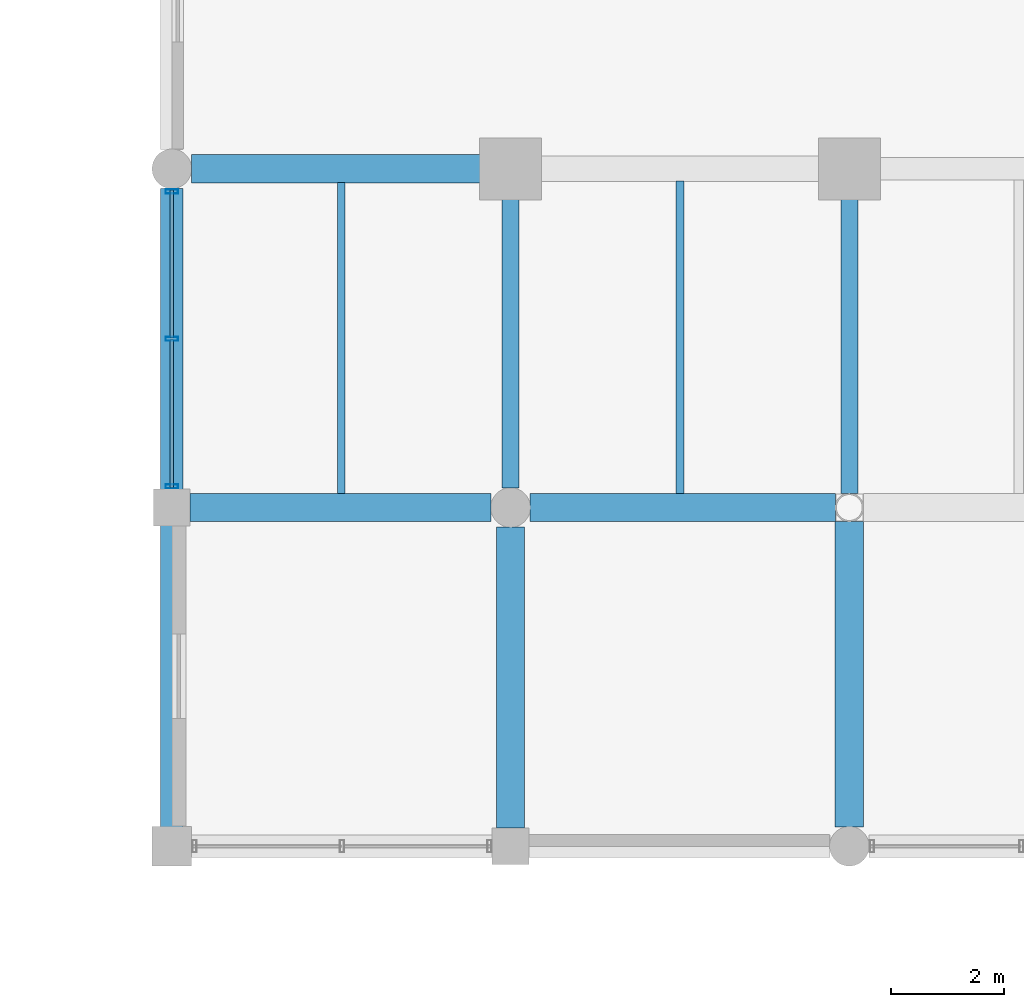
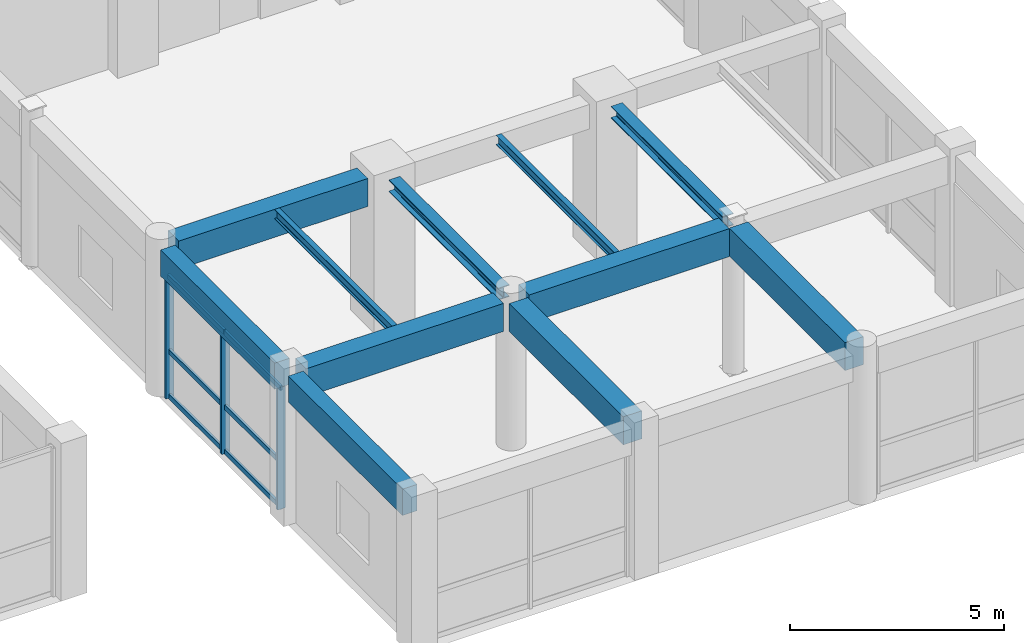
# One storey, part 54 of 116: 11 beams, 9 members, 1 element without a shape of its own.
"""IFC4 building model written with IfcOpenShell, lengths in metres."""

import ifcopenshell
import ifcopenshell.guid

model = None  # the IFC model being written
_history = None  # IfcOwnerHistory: only IFC2X3 demands one
_inside = {}  # id of a spatial element -> (the spatial element, [elements in it])
_under = {}  # id of a project, library or spatial element -> (it, [spatial elements below it])
_declared = {}  # id of a project -> (the project, [libraries it declares])
_typed = {}  # id of a type object -> (the type object, [elements of that type])
_made_of = {}  # id of a material, layer set ... -> (it, [elements and type objects made of it])


def new_model(schema):
    """Start an empty IFC model of exactly this schema.

    Asked for "IFC4X3", IfcOpenShell would pick the latest addendum, in which some entities
    have other attributes; the version numbers below select the first issue.
    IFC2X3 requires an IfcOwnerHistory on every rooted entity: one is made here for all.
    """
    global model, _history
    if schema == "IFC4X3":
        model = ifcopenshell.file(schema_version=(4, 3, 0, 0))
    else:
        model = ifcopenshell.file(schema=schema)
    _inside.clear()
    _under.clear()
    _declared.clear()
    _typed.clear()
    _made_of.clear()
    _history = None
    if model.schema == "IFC2X3":
        org = make("IfcOrganization", Name="unknown")
        user = make(
            "IfcPersonAndOrganization",
            ThePerson=make("IfcPerson", FamilyName="unknown"),
            TheOrganization=org,
        )
        app = make(
            "IfcApplication",
            ApplicationDeveloper=org,
            Version="unknown",
            ApplicationFullName="unknown",
            ApplicationIdentifier="unknown",
        )
        _history = make(
            "IfcOwnerHistory",
            OwningUser=user,
            OwningApplication=app,
            ChangeAction="ADDED",
            CreationDate=0,
        )
    return model


def make(cls, **values):
    """One entity of the class cls with the attributes given. An attribute that is None is left unset."""
    return model.create_entity(
        cls, **{name: value for name, value in values.items() if value is not None}
    )


def rooted(cls, **values):
    """An entity with a GlobalId (a new one), such as an element, a storey or a relation."""
    return make(cls, GlobalId=ifcopenshell.guid.new(), OwnerHistory=_history, **values)


def si_unit(unit_type, name, prefix=None):
    """IfcSIUnit, for example si_unit("LENGTHUNIT", "METRE", prefix="MILLI")."""
    return make("IfcSIUnit", UnitType=unit_type, Prefix=prefix, Name=name)


def assignment(units):
    """IfcUnitAssignment: the units of a project."""
    return None if units is None else make("IfcUnitAssignment", Units=units)


def point(xyz):
    """IfcCartesianPoint."""
    return None if xyz is None else make("IfcCartesianPoint", Coordinates=xyz)


def direction(xyz):
    """IfcDirection."""
    return None if xyz is None else make("IfcDirection", DirectionRatios=xyz)


def frame(location, z_axis=None, x_axis=None):
    """IfcAxis2Placement3D, a coordinate frame: its origin and axes. An axis left out is left unset."""
    return make(
        "IfcAxis2Placement3D",
        Location=point(location),
        Axis=direction(z_axis),
        RefDirection=direction(x_axis),
    )


def frame_2d(location, x_axis=None):
    """IfcAxis2Placement2D, a coordinate frame in the plane: its origin and x axis."""
    return make(
        "IfcAxis2Placement2D", Location=point(location), RefDirection=direction(x_axis)
    )


def origin():
    """The frame at (0, 0, 0) with its axes left unset."""
    return frame((0.0, 0.0, 0.0))


def origin_2d():
    """The frame at (0, 0) in the plane with its x axis left unset."""
    return frame_2d((0.0, 0.0))


def place(relative_to, where):
    """IfcLocalPlacement: puts the frame where relative to a parent placement (None: the world)."""
    return make(
        "IfcLocalPlacement", PlacementRelTo=relative_to, RelativePlacement=where
    )


def context(
    kind, dimensions, precision=None, world=None, true_north=None, identifier=None
):
    """IfcGeometricRepresentationContext, for example the 3D "Model" context."""
    return make(
        "IfcGeometricRepresentationContext",
        ContextIdentifier=identifier,
        ContextType=kind,
        CoordinateSpaceDimension=dimensions,
        Precision=precision,
        WorldCoordinateSystem=world,
        TrueNorth=true_north,
    )


def subcontext(parent, identifier, kind, view, scale=None):
    """IfcGeometricRepresentationSubContext, for example "Body" below "Model"."""
    return make(
        "IfcGeometricRepresentationSubContext",
        ContextIdentifier=identifier,
        ContextType=kind,
        ParentContext=parent,
        TargetScale=scale,
        TargetView=view,
    )


def project(units=None, contexts=None):
    """IfcProject with its units and contexts."""
    return rooted(
        "IfcProject",
        Name="project",
        RepresentationContexts=contexts,
        UnitsInContext=assignment(units),
    )


def spatial(cls, under=None, at=None, **own):
    """A site, building, storey or space (cls), placed at a placement, below another one or the project."""
    s = rooted(cls, ObjectPlacement=at, **own)
    if under is not None:
        _under.setdefault(under.id(), (under, []))[1].append(s)
    return s


def profile(cls, at=None, kind="AREA", **sizes):
    """A parametric profile (cls). Its sizes go by their IFC names, for example OverallWidth=200.0."""
    return make(cls, ProfileType=kind, Position=at, **sizes)


def rectangle(**sizes):
    """IfcRectangleProfileDef."""
    return profile("IfcRectangleProfileDef", **sizes)


def hollow_rectangle(**sizes):
    """IfcRectangleHollowProfileDef."""
    return profile("IfcRectangleHollowProfileDef", **sizes)


def i_section(**sizes):
    """IfcIShapeProfileDef."""
    return profile("IfcIShapeProfileDef", **sizes)


def extrude(swept, where, along, depth):
    """IfcExtrudedAreaSolid: the profile swept, set in the frame where, extruded along a direction by depth."""
    return make(
        "IfcExtrudedAreaSolid",
        SweptArea=swept,
        Position=where,
        ExtrudedDirection=direction(along),
        Depth=depth,
    )


def shape(context_of_items, identifier, shape_type, items):
    """IfcShapeRepresentation: the items that make up one representation, for example the "Body"."""
    return make(
        "IfcShapeRepresentation",
        ContextOfItems=context_of_items,
        RepresentationIdentifier=identifier,
        RepresentationType=shape_type,
        Items=items,
    )


def material(Name=None, Category=None):
    """IfcMaterial."""
    return make("IfcMaterial", Name=Name, Category=Category)


def material_profile(
    of_material, cross_section, Name=None, Category=None, Priority=None
):
    """IfcMaterialProfile: a cross section and its material."""
    return make(
        "IfcMaterialProfile",
        Name=Name,
        Material=of_material,
        Profile=cross_section,
        Priority=Priority,
        Category=Category,
    )


def profile_set(profiles, Name=None, composite=None):
    """IfcMaterialProfileSet."""
    return make(
        "IfcMaterialProfileSet",
        Name=Name,
        MaterialProfiles=profiles,
        CompositeProfile=composite,
    )


def made_of(thing, what):
    """Note that an element or type object is made of a material, layer set ...; save() writes the relation."""
    if what is not None:
        _made_of.setdefault(what.id(), (what, []))[1].append(thing)
    return thing


def type_object(cls, material=None, **own):
    """A type object (cls), such as IfcWallType, which elements share."""
    return made_of(rooted(cls, **own), material)


def element(
    cls,
    number,
    at=None,
    inside=None,
    cuts=None,
    type_object=None,
    material=None,
    context=None,
    identifier="Body",
    shape_type=None,
    held_by="IfcProductDefinitionShape",
    body=None,
    shapes=None,
    **own,
):
    """One element of the class cls, such as IfcWall. Its Tag is "e" and its number.

    at: its placement. inside: the storey or other place that contains it. cuts: it is an
    opening in that element (IfcRelVoidsElement). A single representation is given by context,
    identifier, shape_type and body (its items); several are given by shapes. held_by: the class
    of the entity that holds the representations. save() writes the other relations.
    """
    e = rooted(cls, Tag="e%d" % number, ObjectPlacement=at, **own)
    if body is not None:
        shapes = [shape(context, identifier, shape_type, body)]
    if shapes is not None:
        e.Representation = make(held_by, Representations=shapes)
    if inside is not None:
        _inside.setdefault(inside.id(), (inside, []))[1].append(e)
    if cuts is not None:
        rooted(
            "IfcRelVoidsElement", RelatingBuildingElement=cuts, RelatedOpeningElement=e
        )
    if type_object is not None:
        _typed.setdefault(type_object.id(), (type_object, []))[1].append(e)
    return made_of(e, material)


def aggregate(whole, parts):
    """IfcRelAggregates: a whole, such as a stair, and the parts it consists of."""
    return rooted("IfcRelAggregates", RelatingObject=whole, RelatedObjects=parts)


def save(model, path):
    """Write the relations noted so far, then the file.

    IfcRelAggregates (storeys below a building ...), IfcRelContainedInSpatialStructure (elements
    in a storey), IfcRelDefinesByType, IfcRelAssociatesMaterial and IfcRelDeclares: one each for
    every whole, place, type object, material and project.
    """
    for whole, parts in _under.values():
        aggregate(whole, parts)
    for where, things in _inside.values():
        rooted(
            "IfcRelContainedInSpatialStructure",
            RelatedElements=things,
            RelatingStructure=where,
        )
    for kind, things in _typed.values():
        rooted("IfcRelDefinesByType", RelatedObjects=things, RelatingType=kind)
    for what, things in _made_of.values():
        rooted("IfcRelAssociatesMaterial", RelatedObjects=things, RelatingMaterial=what)
    for by, libraries in _declared.values():
        rooted("IfcRelDeclares", RelatingContext=by, RelatedDefinitions=libraries)
    model.write(path)


model = new_model("IFC4")

# Units and contexts
model_context = context("Model", 3, precision=1e-05, world=origin(), true_north=direction((0.0, 1.0)))
body_context = subcontext(model_context, "Body", "Model", "MODEL_VIEW")
ifc_project = project(units=[si_unit("LENGTHUNIT", "METRE"), si_unit("AREAUNIT", "SQUARE_METRE"), si_unit("VOLUMEUNIT", "CUBIC_METRE"), si_unit("PLANEANGLEUNIT", "RADIAN"), si_unit("MASSUNIT", "GRAM", prefix="KILO"), si_unit("THERMODYNAMICTEMPERATUREUNIT", "KELVIN"), si_unit("POWERUNIT", "WATT")], contexts=[model_context])

# Site, building, storey
site_placement = place(None, origin())
site = spatial("IfcSite", under=ifc_project, at=site_placement, CompositionType="ELEMENT")
building_placement = place(site_placement, origin())
building = spatial("IfcBuilding", under=site, at=building_placement, Name="Phaisarnlok Congress Hotel", CompositionType="ELEMENT")
storey_placement = place(building_placement, frame((0.0, 0.0, 10.5)))
storey = spatial("IfcBuildingStorey", under=building, at=storey_placement, Name="L02", CompositionType="ELEMENT", Elevation=10.5)

# Beams
ifc_material_1 = material(Name="Concrete C40/50", Category="concrete")
ifc_material_profile_1 = material_profile(ifc_material_1, rectangle(XDim=0.5, YDim=0.800048828125, at=origin_2d()), Name="RC 500x800")
ifc_profile_set_1 = profile_set([ifc_material_profile_1], Name="Concrete C40/50")
beam_type_1 = type_object("IfcBeamType", Name="BM-RC-500x800", PredefinedType="BEAM", material=ifc_profile_set_1)
beam_1_placement = place(storey_placement, frame((162.320068359375, 36.0, 3.840087890625), z_axis=(1.0, 0.0, 0.0), x_axis=(0.0, 1.0, 0.0)))
element("IfcBeam", 1, at=beam_1_placement, inside=storey, type_object=beam_type_1, Name="Beam B-04", PredefinedType="BEAM", context=body_context, shape_type="SweptSolid", body=[
    extrude(rectangle(XDim=0.5, YDim=0.800048828125, at=origin_2d()), origin(), (0.0, 0.0, 1.0), 5.3349609375),
])
beam_2_placement = place(storey_placement, frame((162.344970703125, 42.0, 3.840087890625), z_axis=(1.0, 0.0, 0.0), x_axis=(0.0, 1.0, 0.0)))
element("IfcBeam", 2, at=beam_2_placement, inside=storey, type_object=beam_type_1, Name="Beam B-04", PredefinedType="BEAM", context=body_context, shape_type="SweptSolid", body=[
    extrude(rectangle(XDim=0.5, YDim=0.800048828125, at=origin_2d()), origin(), (0.0, 0.0, 1.0), 5.110107421875),
])
beam_3_placement = place(storey_placement, frame((168.0, 30.320068359375, 3.860107421875), z_axis=(0.0, 1.0, 0.0), x_axis=(-1.0, 0.0, 0.0)))
element("IfcBeam", 3, at=beam_3_placement, inside=storey, type_object=beam_type_1, Name="Beam B-04", PredefinedType="BEAM", context=body_context, shape_type="SweptSolid", body=[
    extrude(rectangle(XDim=0.5, YDim=0.800048828125, at=origin_2d()), origin(), (0.0, 0.0, 1.0), 5.3349609375),
])
for number, where, z_axis, x_axis, name in (
    (4, (168.344970703125, 36.0, 3.840087890625), (1.0, 0.0, 0.0), (0.0, 1.0, 0.0), "Beam B-04"),
    (5, (174.0, 30.344970703125, 3.860107421875), (0.0, 1.0, 0.0), (-1.0, 0.0, 0.0), "Beam B-04"),
):
    element("IfcBeam", number, at=place(storey_placement, frame(where, z_axis=z_axis, x_axis=x_axis)), inside=storey, type_object=beam_type_1, Name=name, PredefinedType="BEAM", context=body_context, shape_type="SweptSolid", body=[
        extrude(rectangle(XDim=0.5, YDim=0.800048828125, at=origin_2d()), origin(), (0.0, 0.0, 1.0), 5.406005859375),
    ])
ifc_material_2 = material(Name="Steel S355", Category="steel")
ifc_material_profile_2 = material_profile(ifc_material_2, i_section(OverallWidth=0.300048828125, OverallDepth=0.340087890625, WebThickness=0.011962890625, FlangeThickness=0.021484375, FilletRadius=0.027099609375, at=origin_2d()), Name="HEB 340")
ifc_profile_set_2 = profile_set([ifc_material_profile_2], Name="Steel S355")
beam_type_2 = type_object("IfcBeamType", Name="BM-STL-HEB340", PredefinedType="BEAM", material=ifc_profile_set_2)
beam_4_placement = place(storey_placement, frame((168.0, 36.344970703125, 4.070068359375), z_axis=(0.0, 1.0, 0.0), x_axis=(-1.0, 0.0, 0.0)))
element("IfcBeam", 6, at=beam_4_placement, inside=storey, type_object=beam_type_2, Name="Beam SB-07", PredefinedType="BEAM", context=body_context, shape_type="SweptSolid", body=[
    extrude(i_section(OverallWidth=0.300048828125, OverallDepth=0.340087890625, WebThickness=0.011962890625, FlangeThickness=0.021484375, FilletRadius=0.027099609375, at=origin_2d()), origin(), (0.0, 0.0, 1.0), 5.110107421875),
])
beam_5_placement = place(storey_placement, frame((174.0, 36.2490234375, 4.070068359375), z_axis=(0.0, 1.0, 0.0), x_axis=(-1.0, 0.0, 0.0)))
element("IfcBeam", 7, at=beam_5_placement, inside=storey, type_object=beam_type_2, Name="Beam SB-07", PredefinedType="BEAM", context=body_context, shape_type="SweptSolid", body=[
    extrude(i_section(OverallWidth=0.300048828125, OverallDepth=0.340087890625, WebThickness=0.011962890625, FlangeThickness=0.021484375, FilletRadius=0.027099609375, at=origin_2d()), origin(), (0.0, 0.0, 1.0), 5.2060546875),
])

# Curtain wall, members
ifc_material_3 = material(Name="Thermally Broken Unitised Aluminium & Low-E Glazing", Category="aluminium")
curtain_wall_type = type_object("IfcCurtainWallType", Name="CW-UNIT-16", PredefinedType="NOTDEFINED", material=ifc_material_3)
curtain_wall_placement = place(storey_placement, origin())
curtain_wall = element("IfcCurtainWall", 8, at=curtain_wall_placement, inside=storey, type_object=curtain_wall_type, Name="Unitised curtain wall CW-16 (L02)", PredefinedType="NOTDEFINED")
ifc_material_4 = material(Name="Anodised Aluminium Alloy 6063-T6", Category="aluminium")
ifc_material_profile_3 = material_profile(ifc_material_4, hollow_rectangle(XDim=0.074951171875, YDim=0.219970703125, WallThickness=0.0048828125, at=origin_2d()), Name="ALU-M 75x220x5")
ifc_profile_set_3 = profile_set([ifc_material_profile_3], Name="Anodised Aluminium Alloy 6063-T6")
member_type_1 = type_object("IfcMemberType", Name="CWM-220", PredefinedType="MULLION", material=ifc_profile_set_3)
member_1_placement = place(storey_placement, frame((162.0, 41.60009765625, 0.0), z_axis=(0.0, 0.0, 1.0), x_axis=(0.0, -1.0, 0.0)))
member_1 = element("IfcMember", 9, at=member_1_placement, type_object=member_type_1, Name="Curtain wall mullion CWM-02", PredefinedType="MULLION", context=body_context, shape_type="SweptSolid", body=[
    extrude(hollow_rectangle(XDim=0.074951171875, YDim=0.219970703125, WallThickness=0.0048828125, at=origin_2d()), origin(), (0.0, 0.0, 1.0), 3.489990234375),
])
member_2_placement = place(storey_placement, frame((162.0, 38.987548828125, 0.0), z_axis=(0.0, 0.0, 1.0), x_axis=(0.0, -1.0, 0.0)))
member_2 = element("IfcMember", 10, at=member_2_placement, type_object=member_type_1, Name="Curtain wall mullion CWM-02", PredefinedType="MULLION", context=body_context, shape_type="SweptSolid", body=[
    extrude(hollow_rectangle(XDim=0.074951171875, YDim=0.219970703125, WallThickness=0.0048828125, at=origin_2d()), origin(), (0.0, 0.0, 1.0), 3.489990234375),
])
member_3_placement = place(storey_placement, frame((162.0, 36.375, 0.0), z_axis=(0.0, 0.0, 1.0), x_axis=(0.0, -1.0, 0.0)))
member_3 = element("IfcMember", 11, at=member_3_placement, type_object=member_type_1, Name="Curtain wall mullion CWM-02", PredefinedType="MULLION", context=body_context, shape_type="SweptSolid", body=[
    extrude(hollow_rectangle(XDim=0.074951171875, YDim=0.219970703125, WallThickness=0.0048828125, at=origin_2d()), origin(), (0.0, 0.0, 1.0), 3.489990234375),
])
ifc_material_profile_4 = material_profile(ifc_material_4, hollow_rectangle(XDim=0.06494140625, YDim=0.139892578125, WallThickness=0.00390625, at=origin_2d()), Name="ALU-T 65x140x4")
ifc_profile_set_4 = profile_set([ifc_material_profile_4], Name="Anodised Aluminium Alloy 6063-T6")
member_type_2 = type_object("IfcMemberType", Name="CWT-150", PredefinedType="USERDEFINED", material=ifc_profile_set_4)
member_4_placement = place(storey_placement, frame((162.0, 41.625, 0.050048828125), z_axis=(0.0, -1.0, 0.0), x_axis=(1.0, 0.0, 0.0)))
member_4 = element("IfcMember", 12, at=member_4_placement, type_object=member_type_2, Name="Curtain wall transom CWT-01", ObjectType="TRANSOM", PredefinedType="USERDEFINED", context=body_context, shape_type="SweptSolid", body=[
    extrude(hollow_rectangle(XDim=0.06494140625, YDim=0.139892578125, WallThickness=0.00390625, at=origin_2d()), origin(), (0.0, 0.0, 1.0), 2.62255859375),
])
member_5_placement = place(storey_placement, frame((162.0, 41.625, 1.326171875), z_axis=(0.0, -1.0, 0.0), x_axis=(1.0, 0.0, 0.0)))
member_5 = element("IfcMember", 13, at=member_5_placement, type_object=member_type_2, Name="Curtain wall transom CWT-01", ObjectType="TRANSOM", PredefinedType="USERDEFINED", context=body_context, shape_type="SweptSolid", body=[
    extrude(hollow_rectangle(XDim=0.06494140625, YDim=0.139892578125, WallThickness=0.00390625, at=origin_2d()), origin(), (0.0, 0.0, 1.0), 2.62255859375),
])
member_6_placement = place(storey_placement, frame((162.0, 41.625, 3.43994140625), z_axis=(0.0, -1.0, 0.0), x_axis=(1.0, 0.0, 0.0)))
member_6 = element("IfcMember", 14, at=member_6_placement, type_object=member_type_2, Name="Curtain wall transom CWT-01", ObjectType="TRANSOM", PredefinedType="USERDEFINED", context=body_context, shape_type="SweptSolid", body=[
    extrude(hollow_rectangle(XDim=0.06494140625, YDim=0.139892578125, WallThickness=0.00390625, at=origin_2d()), origin(), (0.0, 0.0, 1.0), 2.62255859375),
])
member_7_placement = place(storey_placement, frame((162.0, 38.972412109375, 0.050048828125), z_axis=(0.0, -1.0, 0.0), x_axis=(1.0, 0.0, 0.0)))
member_7 = element("IfcMember", 15, at=member_7_placement, type_object=member_type_2, Name="Curtain wall transom CWT-01", ObjectType="TRANSOM", PredefinedType="USERDEFINED", context=body_context, shape_type="SweptSolid", body=[
    extrude(hollow_rectangle(XDim=0.06494140625, YDim=0.139892578125, WallThickness=0.00390625, at=origin_2d()), origin(), (0.0, 0.0, 1.0), 2.622314453125),
])
member_8_placement = place(storey_placement, frame((162.0, 38.972412109375, 1.326171875), z_axis=(0.0, -1.0, 0.0), x_axis=(1.0, 0.0, 0.0)))
member_8 = element("IfcMember", 16, at=member_8_placement, type_object=member_type_2, Name="Curtain wall transom CWT-01", ObjectType="TRANSOM", PredefinedType="USERDEFINED", context=body_context, shape_type="SweptSolid", body=[
    extrude(hollow_rectangle(XDim=0.06494140625, YDim=0.139892578125, WallThickness=0.00390625, at=origin_2d()), origin(), (0.0, 0.0, 1.0), 2.622314453125),
])
member_9_placement = place(storey_placement, frame((162.0, 38.972412109375, 3.43994140625), z_axis=(0.0, -1.0, 0.0), x_axis=(1.0, 0.0, 0.0)))
member_9 = element("IfcMember", 17, at=member_9_placement, type_object=member_type_2, Name="Curtain wall transom CWT-01", ObjectType="TRANSOM", PredefinedType="USERDEFINED", context=body_context, shape_type="SweptSolid", body=[
    extrude(hollow_rectangle(XDim=0.06494140625, YDim=0.139892578125, WallThickness=0.00390625, at=origin_2d()), origin(), (0.0, 0.0, 1.0), 2.622314453125),
])
aggregate(curtain_wall, [member_1, member_2, member_3, member_4, member_5, member_6, member_7, member_8, member_9])

# Beams
ifc_material_profile_5 = material_profile(ifc_material_2, i_section(OverallWidth=0.135009765625, OverallDepth=0.27001953125, WebThickness=0.006591796875, FlangeThickness=0.01025390625, FilletRadius=0.014892578125, at=origin_2d()), Name="IPE 270")
ifc_profile_set_5 = profile_set([ifc_material_profile_5], Name="Steel S355")
beam_type_3 = type_object("IfcBeamType", Name="JS-STL-IPE270", PredefinedType="JOIST", material=ifc_profile_set_5)
beam_6_placement = place(storey_placement, frame((165.0, 36.2451171875, 4.10498046875), z_axis=(0.0, 1.0, 0.0), x_axis=(-1.0, 0.0, 0.0)))
element("IfcBeam", 18, at=beam_6_placement, inside=storey, type_object=beam_type_3, Name="Secondary floor joist J-02", PredefinedType="JOIST", context=body_context, shape_type="SweptSolid", body=[
    extrude(i_section(OverallWidth=0.135009765625, OverallDepth=0.27001953125, WebThickness=0.006591796875, FlangeThickness=0.01025390625, FilletRadius=0.014892578125, at=origin_2d()), origin(), (0.0, 0.0, 1.0), 5.509765625),
])
beam_7_placement = place(storey_placement, frame((171.0, 36.2451171875, 4.10498046875), z_axis=(0.0, 1.0, 0.0), x_axis=(-1.0, 0.0, 0.0)))
element("IfcBeam", 19, at=beam_7_placement, inside=storey, type_object=beam_type_3, Name="Secondary floor joist J-02", PredefinedType="JOIST", context=body_context, shape_type="SweptSolid", body=[
    extrude(i_section(OverallWidth=0.135009765625, OverallDepth=0.27001953125, WebThickness=0.006591796875, FlangeThickness=0.01025390625, FilletRadius=0.014892578125, at=origin_2d()), origin(), (0.0, 0.0, 1.0), 5.534912109375),
])
ifc_material_profile_6 = material_profile(ifc_material_1, rectangle(XDim=0.39990234375, YDim=0.75, at=origin_2d()), Name="RC 400x750")
ifc_profile_set_6 = profile_set([ifc_material_profile_6], Name="Concrete C40/50")
beam_type_4 = type_object("IfcBeamType", Name="SP-RC-400x750", PredefinedType="SPANDREL", material=ifc_profile_set_6)
for number, where, z_axis, x_axis, name in (
    (20, (162.0, 30.344970703125, 3.885009765625), (0.0, 1.0, 0.0), (-1.0, 0.0, 0.0), "Beam SP-02"),
    (21, (162.0, 36.320068359375, 3.864990234375), (0.0, 1.0, 0.0), (-1.0, 0.0, 0.0), "Beam SP-02"),
):
    element("IfcBeam", number, at=place(storey_placement, frame(where, z_axis=z_axis, x_axis=x_axis)), inside=storey, type_object=beam_type_4, Name=name, PredefinedType="SPANDREL", context=body_context, shape_type="SweptSolid", body=[
        extrude(rectangle(XDim=0.39990234375, YDim=0.75, at=origin_2d()), origin(), (0.0, 0.0, 1.0), 5.3349609375),
    ])

save(model, "model.ifc")
